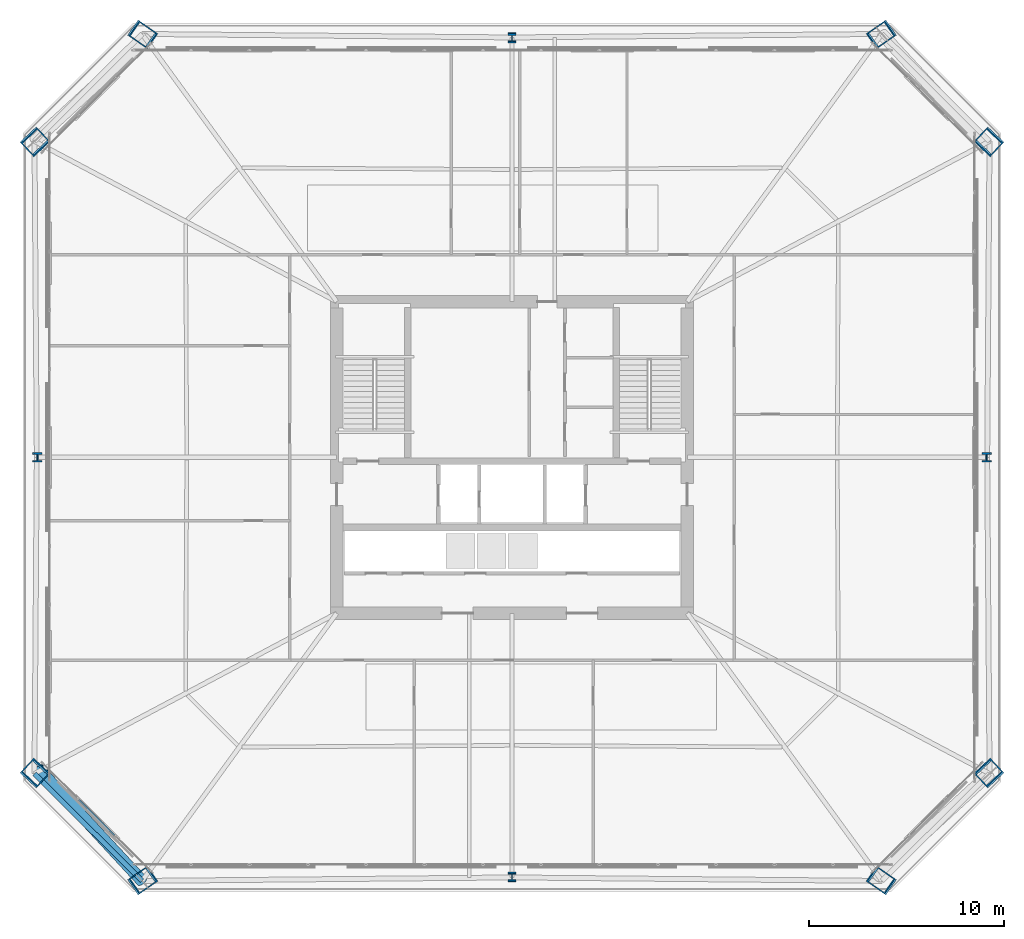
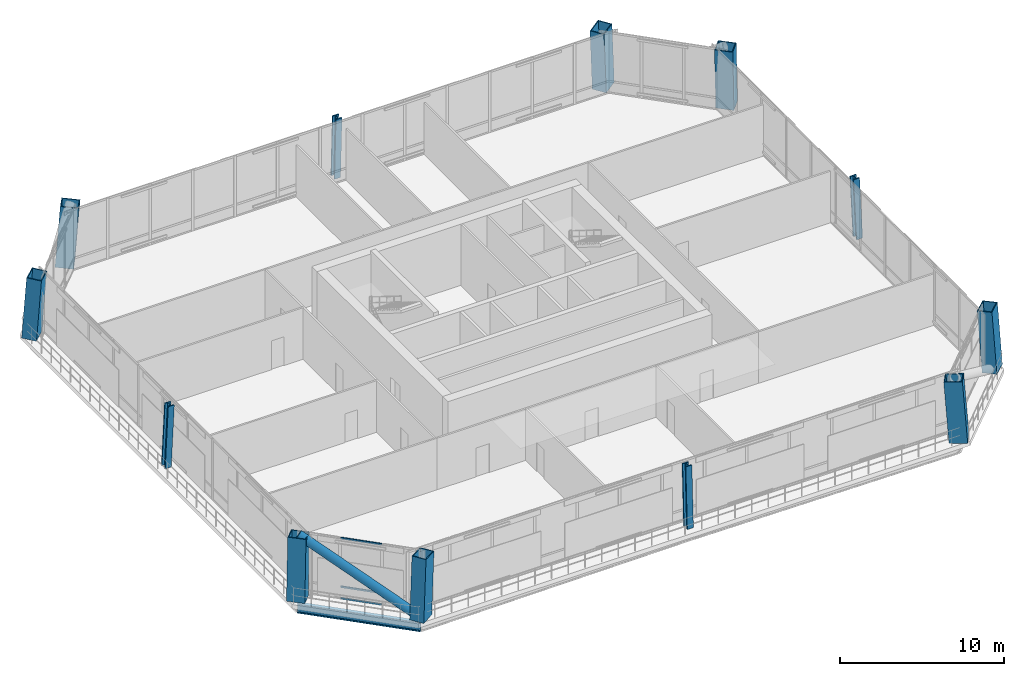
# One storey, part 1 of 48: 12 columns, 4 members, 1 beam, 1 element without a shape of its own.
"""IFC4 building model written with IfcOpenShell, lengths in metres."""

import ifcopenshell
import ifcopenshell.guid

model = None  # the IFC model being written
_history = None  # IfcOwnerHistory: only IFC2X3 demands one
_inside = {}  # id of a spatial element -> (the spatial element, [elements in it])
_under = {}  # id of a project, library or spatial element -> (it, [spatial elements below it])
_declared = {}  # id of a project -> (the project, [libraries it declares])
_typed = {}  # id of a type object -> (the type object, [elements of that type])
_made_of = {}  # id of a material, layer set ... -> (it, [elements and type objects made of it])


def new_model(schema):
    """Start an empty IFC model of exactly this schema.

    Asked for "IFC4X3", IfcOpenShell would pick the latest addendum, in which some entities
    have other attributes; the version numbers below select the first issue.
    IFC2X3 requires an IfcOwnerHistory on every rooted entity: one is made here for all.
    """
    global model, _history
    if schema == "IFC4X3":
        model = ifcopenshell.file(schema_version=(4, 3, 0, 0))
    else:
        model = ifcopenshell.file(schema=schema)
    _inside.clear()
    _under.clear()
    _declared.clear()
    _typed.clear()
    _made_of.clear()
    _history = None
    if model.schema == "IFC2X3":
        org = make("IfcOrganization", Name="unknown")
        user = make(
            "IfcPersonAndOrganization",
            ThePerson=make("IfcPerson", FamilyName="unknown"),
            TheOrganization=org,
        )
        app = make(
            "IfcApplication",
            ApplicationDeveloper=org,
            Version="unknown",
            ApplicationFullName="unknown",
            ApplicationIdentifier="unknown",
        )
        _history = make(
            "IfcOwnerHistory",
            OwningUser=user,
            OwningApplication=app,
            ChangeAction="ADDED",
            CreationDate=0,
        )
    return model


def make(cls, **values):
    """One entity of the class cls with the attributes given. An attribute that is None is left unset."""
    return model.create_entity(
        cls, **{name: value for name, value in values.items() if value is not None}
    )


def rooted(cls, **values):
    """An entity with a GlobalId (a new one), such as an element, a storey or a relation."""
    return make(cls, GlobalId=ifcopenshell.guid.new(), OwnerHistory=_history, **values)


def si_unit(unit_type, name, prefix=None):
    """IfcSIUnit, for example si_unit("LENGTHUNIT", "METRE", prefix="MILLI")."""
    return make("IfcSIUnit", UnitType=unit_type, Prefix=prefix, Name=name)


def assignment(units):
    """IfcUnitAssignment: the units of a project."""
    return None if units is None else make("IfcUnitAssignment", Units=units)


def point(xyz):
    """IfcCartesianPoint."""
    return None if xyz is None else make("IfcCartesianPoint", Coordinates=xyz)


def direction(xyz):
    """IfcDirection."""
    return None if xyz is None else make("IfcDirection", DirectionRatios=xyz)


def frame(location, z_axis=None, x_axis=None):
    """IfcAxis2Placement3D, a coordinate frame: its origin and axes. An axis left out is left unset."""
    return make(
        "IfcAxis2Placement3D",
        Location=point(location),
        Axis=direction(z_axis),
        RefDirection=direction(x_axis),
    )


def frame_2d(location, x_axis=None):
    """IfcAxis2Placement2D, a coordinate frame in the plane: its origin and x axis."""
    return make(
        "IfcAxis2Placement2D", Location=point(location), RefDirection=direction(x_axis)
    )


def origin():
    """The frame at (0, 0, 0) with its axes left unset."""
    return frame((0.0, 0.0, 0.0))


def origin_2d():
    """The frame at (0, 0) in the plane with its x axis left unset."""
    return frame_2d((0.0, 0.0))


def place(relative_to, where):
    """IfcLocalPlacement: puts the frame where relative to a parent placement (None: the world)."""
    return make(
        "IfcLocalPlacement", PlacementRelTo=relative_to, RelativePlacement=where
    )


def context(
    kind, dimensions, precision=None, world=None, true_north=None, identifier=None
):
    """IfcGeometricRepresentationContext, for example the 3D "Model" context."""
    return make(
        "IfcGeometricRepresentationContext",
        ContextIdentifier=identifier,
        ContextType=kind,
        CoordinateSpaceDimension=dimensions,
        Precision=precision,
        WorldCoordinateSystem=world,
        TrueNorth=true_north,
    )


def subcontext(parent, identifier, kind, view, scale=None):
    """IfcGeometricRepresentationSubContext, for example "Body" below "Model"."""
    return make(
        "IfcGeometricRepresentationSubContext",
        ContextIdentifier=identifier,
        ContextType=kind,
        ParentContext=parent,
        TargetScale=scale,
        TargetView=view,
    )


def project(units=None, contexts=None):
    """IfcProject with its units and contexts."""
    return rooted(
        "IfcProject",
        Name="project",
        RepresentationContexts=contexts,
        UnitsInContext=assignment(units),
    )


def spatial(cls, under=None, at=None, **own):
    """A site, building, storey or space (cls), placed at a placement, below another one or the project."""
    s = rooted(cls, ObjectPlacement=at, **own)
    if under is not None:
        _under.setdefault(under.id(), (under, []))[1].append(s)
    return s


def profile(cls, at=None, kind="AREA", **sizes):
    """A parametric profile (cls). Its sizes go by their IFC names, for example OverallWidth=200.0."""
    return make(cls, ProfileType=kind, Position=at, **sizes)


def hollow_rectangle(**sizes):
    """IfcRectangleHollowProfileDef."""
    return profile("IfcRectangleHollowProfileDef", **sizes)


def hollow_circle(**sizes):
    """IfcCircleHollowProfileDef."""
    return profile("IfcCircleHollowProfileDef", **sizes)


def i_section(**sizes):
    """IfcIShapeProfileDef."""
    return profile("IfcIShapeProfileDef", **sizes)


def extrude(swept, where, along, depth):
    """IfcExtrudedAreaSolid: the profile swept, set in the frame where, extruded along a direction by depth."""
    return make(
        "IfcExtrudedAreaSolid",
        SweptArea=swept,
        Position=where,
        ExtrudedDirection=direction(along),
        Depth=depth,
    )


def shape(context_of_items, identifier, shape_type, items):
    """IfcShapeRepresentation: the items that make up one representation, for example the "Body"."""
    return make(
        "IfcShapeRepresentation",
        ContextOfItems=context_of_items,
        RepresentationIdentifier=identifier,
        RepresentationType=shape_type,
        Items=items,
    )


def material(Name=None, Category=None):
    """IfcMaterial."""
    return make("IfcMaterial", Name=Name, Category=Category)


def layer(
    of_material, thickness, ventilated=None, Name=None, Category=None, Priority=None
):
    """IfcMaterialLayer: one layer of a wall or slab, of a material (None: an air gap)."""
    return make(
        "IfcMaterialLayer",
        Material=of_material,
        LayerThickness=thickness,
        IsVentilated=ventilated,
        Name=Name,
        Category=Category,
        Priority=Priority,
    )


def layer_set(layers, Name=None):
    """IfcMaterialLayerSet."""
    return make("IfcMaterialLayerSet", MaterialLayers=layers, LayerSetName=Name)


def material_profile(
    of_material, cross_section, Name=None, Category=None, Priority=None
):
    """IfcMaterialProfile: a cross section and its material."""
    return make(
        "IfcMaterialProfile",
        Name=Name,
        Material=of_material,
        Profile=cross_section,
        Priority=Priority,
        Category=Category,
    )


def profile_set(profiles, Name=None, composite=None):
    """IfcMaterialProfileSet."""
    return make(
        "IfcMaterialProfileSet",
        Name=Name,
        MaterialProfiles=profiles,
        CompositeProfile=composite,
    )


def made_of(thing, what):
    """Note that an element or type object is made of a material, layer set ...; save() writes the relation."""
    if what is not None:
        _made_of.setdefault(what.id(), (what, []))[1].append(thing)
    return thing


def type_object(cls, material=None, **own):
    """A type object (cls), such as IfcWallType, which elements share."""
    return made_of(rooted(cls, **own), material)


def element(
    cls,
    number,
    at=None,
    inside=None,
    cuts=None,
    type_object=None,
    material=None,
    context=None,
    identifier="Body",
    shape_type=None,
    held_by="IfcProductDefinitionShape",
    body=None,
    shapes=None,
    **own,
):
    """One element of the class cls, such as IfcWall. Its Tag is "e" and its number.

    at: its placement. inside: the storey or other place that contains it. cuts: it is an
    opening in that element (IfcRelVoidsElement). A single representation is given by context,
    identifier, shape_type and body (its items); several are given by shapes. held_by: the class
    of the entity that holds the representations. save() writes the other relations.
    """
    e = rooted(cls, Tag="e%d" % number, ObjectPlacement=at, **own)
    if body is not None:
        shapes = [shape(context, identifier, shape_type, body)]
    if shapes is not None:
        e.Representation = make(held_by, Representations=shapes)
    if inside is not None:
        _inside.setdefault(inside.id(), (inside, []))[1].append(e)
    if cuts is not None:
        rooted(
            "IfcRelVoidsElement", RelatingBuildingElement=cuts, RelatedOpeningElement=e
        )
    if type_object is not None:
        _typed.setdefault(type_object.id(), (type_object, []))[1].append(e)
    return made_of(e, material)


def aggregate(whole, parts):
    """IfcRelAggregates: a whole, such as a stair, and the parts it consists of."""
    return rooted("IfcRelAggregates", RelatingObject=whole, RelatedObjects=parts)


def save(model, path):
    """Write the relations noted so far, then the file.

    IfcRelAggregates (storeys below a building ...), IfcRelContainedInSpatialStructure (elements
    in a storey), IfcRelDefinesByType, IfcRelAssociatesMaterial and IfcRelDeclares: one each for
    every whole, place, type object, material and project.
    """
    for whole, parts in _under.values():
        aggregate(whole, parts)
    for where, things in _inside.values():
        rooted(
            "IfcRelContainedInSpatialStructure",
            RelatedElements=things,
            RelatingStructure=where,
        )
    for kind, things in _typed.values():
        rooted("IfcRelDefinesByType", RelatedObjects=things, RelatingType=kind)
    for what, things in _made_of.values():
        rooted("IfcRelAssociatesMaterial", RelatedObjects=things, RelatingMaterial=what)
    for by, libraries in _declared.values():
        rooted("IfcRelDeclares", RelatingContext=by, RelatedDefinitions=libraries)
    model.write(path)


model = new_model("IFC4")

# Units and contexts
model_context = context("Model", 3, precision=1e-05, world=origin(), true_north=direction((0.0, 1.0)))
body_context = subcontext(model_context, "Body", "Model", "MODEL_VIEW")
ifc_project = project(units=[si_unit("LENGTHUNIT", "METRE"), si_unit("AREAUNIT", "SQUARE_METRE"), si_unit("VOLUMEUNIT", "CUBIC_METRE"), si_unit("PLANEANGLEUNIT", "RADIAN"), si_unit("MASSUNIT", "GRAM", prefix="KILO")], contexts=[model_context])

# Site, building, storey
site_placement = place(None, origin())
site = spatial("IfcSite", under=ifc_project, at=site_placement, CompositionType="ELEMENT")
building_placement = place(site_placement, origin())
building = spatial("IfcBuilding", under=site, at=building_placement, Name="Caelvoria Tower", CompositionType="ELEMENT")
storey_placement = place(building_placement, frame((0.0, 0.0, 90.39990234375)))
storey = spatial("IfcBuildingStorey", under=building, at=storey_placement, Name="L23", CompositionType="ELEMENT", Elevation=90.39990234375)

# Columns
ifc_material_1 = material(Name="Structural Steel ASTM A913 Gr.65", Category="steel")
ifc_material_profile_1 = material_profile(ifc_material_1, i_section(OverallWidth=0.427978515625, OverallDepth=0.48291015625, WebThickness=0.050537109375, FlangeThickness=0.08154296875, FilletRadius=0.02490234375, at=origin_2d()), Name="Structural Steel ASTM A913 Gr.65")
ifc_profile_set_1 = profile_set([ifc_material_profile_1], Name="W360X677 - Structural Steel ASTM A913 Gr.65")
column_type_1 = type_object("IfcColumnType", Name="Heavy Frame Column W360X677", PredefinedType="COLUMN", material=ifc_profile_set_1)
column_1_placement = place(storey_placement, frame((46.0, 10.436767578125, 0.0), z_axis=(0.0, 0.040192456322, 0.99919195676), x_axis=(-1.0, 0.0, 0.0)))
element("IfcColumn", 1, at=column_1_placement, inside=storey, type_object=column_type_1, Name="Perimeter Megaframe Column L23-P01", PredefinedType="COLUMN", context=body_context, shape_type="SweptSolid", body=[
    extrude(i_section(OverallWidth=0.427978515625, OverallDepth=0.48291015625, WebThickness=0.050537109375, FlangeThickness=0.08154296875, FilletRadius=0.02490234375, at=origin_2d()), origin(), (0.0, 0.0, 1.0), 4.561767578125),
])
column_2_placement = place(storey_placement, frame((70.396728515625, 32.0, 0.0), z_axis=(-0.047509227082, 0.0, 0.998870799124), x_axis=(0.998870799124, 0.0, 0.047509227082)))
element("IfcColumn", 2, at=column_2_placement, inside=storey, type_object=column_type_1, Name="Perimeter Megaframe Column L23-P04", PredefinedType="COLUMN", context=body_context, shape_type="SweptSolid", body=[
    extrude(i_section(OverallWidth=0.427978515625, OverallDepth=0.48291015625, WebThickness=0.050537109375, FlangeThickness=0.08154296875, FilletRadius=0.02490234375, at=origin_2d()), origin(), (0.0, 0.0, 1.0), 4.563232421875),
])
column_3_placement = place(storey_placement, frame((46.0, 53.563232421875, 0.0), z_axis=(0.0, -0.040192456322, 0.99919195676), x_axis=(1.0, 0.0, 0.0)))
element("IfcColumn", 3, at=column_3_placement, inside=storey, type_object=column_type_1, Name="Perimeter Megaframe Column L23-P07", PredefinedType="COLUMN", context=body_context, shape_type="SweptSolid", body=[
    extrude(i_section(OverallWidth=0.427978515625, OverallDepth=0.48291015625, WebThickness=0.050537109375, FlangeThickness=0.08154296875, FilletRadius=0.02490234375, at=origin_2d()), origin(), (0.0, 0.0, 1.0), 4.561767578125),
])
column_4_placement = place(storey_placement, frame((21.603271484375, 32.0, 0.0), z_axis=(0.047509227082, 0.0, 0.998870799124), x_axis=(-0.998870799124, 0.0, 0.047509227082)))
element("IfcColumn", 4, at=column_4_placement, inside=storey, type_object=column_type_1, Name="Perimeter Megaframe Column L23-P10", PredefinedType="COLUMN", context=body_context, shape_type="SweptSolid", body=[
    extrude(i_section(OverallWidth=0.427978515625, OverallDepth=0.48291015625, WebThickness=0.050537109375, FlangeThickness=0.08154296875, FilletRadius=0.02490234375, at=origin_2d()), origin(), (0.0, 0.0, 1.0), 4.563232421875),
])
ifc_material_2 = material(Name="Structural Steel ASTM A572 Gr.50", Category="steel")
ifc_material_profile_2 = material_profile(ifc_material_2, hollow_rectangle(XDim=0.949951171875, YDim=1.14990234375, WallThickness=0.06005859375, at=origin_2d()), Name="Structural Steel ASTM A572 Gr.50")
ifc_profile_set_2 = profile_set([ifc_material_profile_2], Name="BOX1150X950X60 - Structural Steel ASTM A572 Gr.50")
column_type_2 = type_object("IfcColumnType", Name="Mega Box Column 1150x950x60", PredefinedType="COLUMN", material=ifc_profile_set_2)
for number, where, z_axis, x_axis, name in (
    (5, (27.007080078125, 10.2587890625, 0.0), (0.058022511791, 0.040444789527, 0.997495667723), (-0.571838881264, 0.820365951192, 0.0), "Perimeter Megaframe Column L23-P00"),
    (6, (64.992919921875, 10.2587890625, 0.0), (-0.058022511791, 0.040444789527, 0.997495667723), (-0.571838881264, -0.820365951192, 0.0), "Perimeter Megaframe Column L23-P02"),
):
    element("IfcColumn", number, at=place(storey_placement, frame(where, z_axis=z_axis, x_axis=x_axis)), inside=storey, type_object=column_type_2, Name=name, PredefinedType="COLUMN", context=body_context, shape_type="SweptSolid", body=[
        extrude(hollow_rectangle(XDim=0.949951171875, YDim=1.14990234375, WallThickness=0.06005859375, at=origin_2d()), origin(), (0.0, 0.0, 1.0), 4.569580078125),
    ])
for number, where, z_axis, x_axis, name in (
    (7, (70.516357421875, 15.76416015625, 0.0), (-0.047661225314, 0.050760273597, 0.997572955841), (0.68284118346, -0.727241170725, 0.069629000955), "Perimeter Megaframe Column L23-P03"),
    (8, (70.516357421875, 48.23583984375, 0.0), (-0.047661225314, -0.050760273597, 0.997572955841), (0.68284118346, 0.727241170725, 0.069629000955), "Perimeter Megaframe Column L23-P05"),
):
    element("IfcColumn", number, at=place(storey_placement, frame(where, z_axis=z_axis, x_axis=x_axis)), inside=storey, type_object=column_type_2, Name=name, PredefinedType="COLUMN", context=body_context, shape_type="SweptSolid", body=[
        extrude(hollow_rectangle(XDim=0.949951171875, YDim=1.14990234375, WallThickness=0.06005859375, at=origin_2d()), origin(), (0.0, 0.0, 1.0), 4.569091796875),
    ])
for number, where, z_axis, x_axis, name in (
    (9, (64.992919921875, 53.7412109375, 0.0), (-0.058022511791, -0.040444789527, 0.997495667723), (0.571838881264, -0.820365951192, 0.0), "Perimeter Megaframe Column L23-P06"),
    (10, (27.007080078125, 53.7412109375, 0.0), (0.058022511791, -0.040444789527, 0.997495667723), (0.571838881264, 0.820365951192, 0.0), "Perimeter Megaframe Column L23-P08"),
):
    element("IfcColumn", number, at=place(storey_placement, frame(where, z_axis=z_axis, x_axis=x_axis)), inside=storey, type_object=column_type_2, Name=name, PredefinedType="COLUMN", context=body_context, shape_type="SweptSolid", body=[
        extrude(hollow_rectangle(XDim=0.949951171875, YDim=1.14990234375, WallThickness=0.06005859375, at=origin_2d()), origin(), (0.0, 0.0, 1.0), 4.569580078125),
    ])
for number, where, z_axis, x_axis, name in (
    (11, (21.483642578125, 48.23583984375, 0.0), (0.047661225314, -0.050760273597, 0.997572955841), (-0.68284118346, 0.727241170725, 0.069629000955), "Perimeter Megaframe Column L23-P09"),
    (12, (21.483642578125, 15.76416015625, 0.0), (0.047661225314, 0.050760273597, 0.997572955841), (-0.68284118346, -0.727241170725, 0.069629000955), "Perimeter Megaframe Column L23-P11"),
):
    element("IfcColumn", number, at=place(storey_placement, frame(where, z_axis=z_axis, x_axis=x_axis)), inside=storey, type_object=column_type_2, Name=name, PredefinedType="COLUMN", context=body_context, shape_type="SweptSolid", body=[
        extrude(hollow_rectangle(XDim=0.949951171875, YDim=1.14990234375, WallThickness=0.06005859375, at=origin_2d()), origin(), (0.0, 0.0, 1.0), 4.569091796875),
    ])

# Curtain wall, members
ifc_material_3 = material(Name="Anodised Bronze Aluminium and Low-E Glass", Category="aluminium")
ifc_layer = layer(ifc_material_3, 0.2099609375, Name="Anodised Bronze Aluminium and Low-E Glass")
ifc_layer_set = layer_set([ifc_layer], Name="CW System 3 Sky Lobby Double-Height Acoustic Facade - Anodised Bronze Aluminium and Low-E Glass")
curtain_wall_type = type_object("IfcCurtainWallType", Name="CW System 3 Sky Lobby Double-Height Acoustic Facade", PredefinedType="NOTDEFINED", material=ifc_layer_set)
curtain_wall_placement = place(storey_placement, origin())
curtain_wall = element("IfcCurtainWall", 13, at=curtain_wall_placement, inside=storey, type_object=curtain_wall_type, Name="CW-03 Curtain Wall L23-E7", PredefinedType="NOTDEFINED")
ifc_material_4 = material(Name="Anodised Bronze Architectural Aluminium", Category="aluminium")
ifc_material_profile_3 = material_profile(ifc_material_4, hollow_rectangle(XDim=0.06494140625, YDim=0.1298828125, WallThickness=0.00341796875, at=origin_2d()), Name="Anodised Bronze Architectural Aluminium")
ifc_profile_set_3 = profile_set([ifc_material_profile_3], Name="CW_TRAN_65X130 - Anodised Bronze Architectural Aluminium")
member_type_1 = type_object("IfcMemberType", Name="Curtain Wall Transom 65x130 Bronze Aluminium", PredefinedType="USERDEFINED", material=ifc_profile_set_3)
member_1_placement = place(storey_placement, frame((23.76708984375, 14.434326171875, 0.03271484375), z_axis=(0.707153847901, -0.707059711339, 0.0), x_axis=(0.707059711339, 0.707153847901, 0.0)))
member_1 = element("IfcMember", 14, at=member_1_placement, type_object=member_type_1, Name="CW-03 transom 2.1", ObjectType="TRANSOM", PredefinedType="USERDEFINED", context=body_context, shape_type="SweptSolid", body=[
    extrude(hollow_rectangle(XDim=0.06494140625, YDim=0.1298828125, WallThickness=0.00341796875, at=origin_2d()), origin(), (0.0, 0.0, 1.0), 2.593505859375),
])
member_2_placement = place(storey_placement, frame((23.76708984375, 14.434326171875, 0.900146484375), z_axis=(0.707153847901, -0.707059711339, 0.0), x_axis=(0.707059711339, 0.707153847901, 0.0)))
member_2 = element("IfcMember", 15, at=member_2_placement, type_object=member_type_1, Name="CW-03 transom 2.2", ObjectType="TRANSOM", PredefinedType="USERDEFINED", context=body_context, shape_type="SweptSolid", body=[
    extrude(hollow_rectangle(XDim=0.06494140625, YDim=0.1298828125, WallThickness=0.00341796875, at=origin_2d()), origin(), (0.0, 0.0, 1.0), 2.593505859375),
])
member_3_placement = place(storey_placement, frame((23.76708984375, 14.434326171875, 4.527587890625), z_axis=(0.707153847901, -0.707059711339, 0.0), x_axis=(0.707059711339, 0.707153847901, 0.0)))
member_3 = element("IfcMember", 16, at=member_3_placement, type_object=member_type_1, Name="CW-03 transom 2.3", ObjectType="TRANSOM", PredefinedType="USERDEFINED", context=body_context, shape_type="SweptSolid", body=[
    extrude(hollow_rectangle(XDim=0.06494140625, YDim=0.1298828125, WallThickness=0.00341796875, at=origin_2d()), origin(), (0.0, 0.0, 1.0), 2.593505859375),
])
aggregate(curtain_wall, [member_1, member_2, member_3])

# Member
ifc_material_profile_4 = material_profile(ifc_material_2, hollow_circle(Radius=0.304931640625, WallThickness=0.02490234375, at=origin_2d()), Name="Structural Steel ASTM A572 Gr.50")
ifc_profile_set_4 = profile_set([ifc_material_profile_4], Name="CHS610X25 - Structural Steel ASTM A572 Gr.50")
member_type_2 = type_object("IfcMemberType", Name="Lower Perimeter Mega Brace CHS610X25", PredefinedType="BRACE", material=ifc_profile_set_4)
member_4_placement = place(storey_placement, frame((27.007080078125, 10.2587890625, 0.0), z_axis=(-0.586410271615, 0.634117494154, 0.504001981099), x_axis=(-0.734185088585, -0.678949376389, 0.0)))
element("IfcMember", 17, at=member_4_placement, inside=storey, type_object=member_type_2, Name="Perimeter Chamfer Mega Brace L23 SW", PredefinedType="BRACE", context=body_context, shape_type="SweptSolid", body=[
    extrude(hollow_circle(Radius=0.304931640625, WallThickness=0.02490234375, at=origin_2d()), origin(), (0.0, 0.0, 1.0), 9.047607421875),
])

# Beam
ifc_material_5 = material(Name="Structural Steel ASTM A992 Gr.50", Category="steel")
ifc_material_profile_5 = material_profile(ifc_material_5, i_section(OverallWidth=0.25390625, OverallDepth=0.68798828125, WebThickness=0.01318359375, FlangeThickness=0.02099609375, FilletRadius=0.01904296875, at=origin_2d()), Name="Structural Steel ASTM A992 Gr.50")
ifc_profile_set_5 = profile_set([ifc_material_profile_5], Name="W690X152 - Structural Steel ASTM A992 Gr.50")
beam_type = type_object("IfcBeamType", Name="Perimeter Spandrel Girder W690X152", PredefinedType="BEAM", material=ifc_profile_set_5)
beam_placement = place(storey_placement, frame((21.483642578125, 15.76416015625, -0.663818359375), z_axis=(0.708264149892, -0.705947515031, 0.0), x_axis=(0.705947515031, 0.708264149892, 0.0)))
element("IfcBeam", 18, at=beam_placement, inside=storey, type_object=beam_type, Name="Perimeter Spandrel Girder L23-11", PredefinedType="BEAM", context=body_context, shape_type="SweptSolid", body=[
    extrude(i_section(OverallWidth=0.25390625, OverallDepth=0.68798828125, WebThickness=0.01318359375, FlangeThickness=0.02099609375, FilletRadius=0.01904296875, at=origin_2d()), origin(), (0.0, 0.0, 1.0), 7.798583984375),
])

save(model, "model.ifc")
